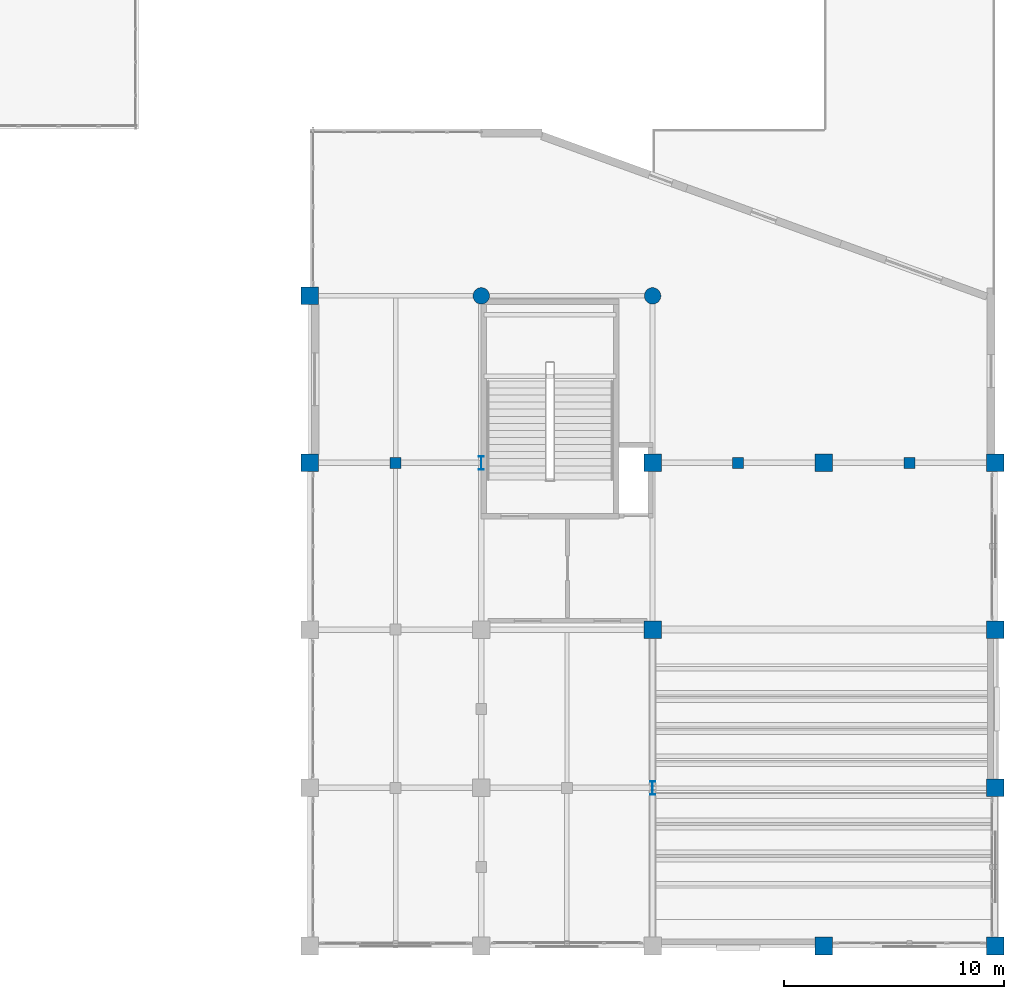
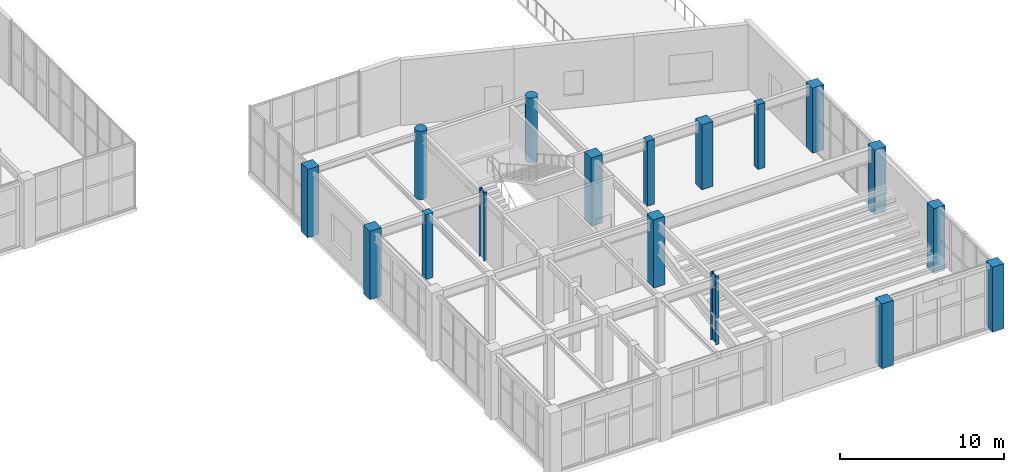
# One storey, part 7 of 128: 17 columns.
"""IFC4 building model written with IfcOpenShell, lengths in metres."""

from ifc_helpers import new_model, si_unit, direction, frame, origin, origin_2d, place, context, subcontext, project, spatial, rectangle, circle, i_section, extrude, material, material_profile, profile_set, type_object, element, save


model = new_model("IFC4")

# Units and contexts
model_context = context("Model", 3, precision=1e-05, world=origin(), true_north=direction((0.0, 1.0)))
body_context = subcontext(model_context, "Body", "Model", "MODEL_VIEW")
ifc_project = project(units=[si_unit("LENGTHUNIT", "METRE"), si_unit("AREAUNIT", "SQUARE_METRE"), si_unit("VOLUMEUNIT", "CUBIC_METRE"), si_unit("PLANEANGLEUNIT", "RADIAN"), si_unit("MASSUNIT", "GRAM", prefix="KILO")], contexts=[model_context])

# Site, building, storey
site_placement = place(None, origin())
site = spatial("IfcSite", under=ifc_project, at=site_placement, CompositionType="ELEMENT")
building_placement = place(site_placement, origin())
building = spatial("IfcBuilding", under=site, at=building_placement, Name="Xicomal Pleat Aquarium", CompositionType="ELEMENT")
storey_placement = place(building_placement, frame((0.0, 0.0, 5.39990234375)))
storey = spatial("IfcBuildingStorey", under=building, at=storey_placement, Name="L02", CompositionType="ELEMENT", Elevation=5.39990234375)

# Columns
ifc_material_1 = material(Name="Concrete C35/45", Category="concrete")
ifc_material_profile_1 = material_profile(ifc_material_1, rectangle(XDim=0.5, YDim=0.5, at=origin_2d()), Name="RC 500x500")
ifc_profile_set_1 = profile_set([ifc_material_profile_1], Name="Concrete C35/45")
column_type_1 = type_object("IfcColumnType", Name="COL-RC-500x500", PredefinedType="COLUMN", material=ifc_profile_set_1)
for number, where, z_axis, x_axis, name in (
    (1, (137.699951171875, 22.800048828125, 0.0), (0.0, 0.0, 1.0), (1.0, 0.0, 0.0), "L02 intermediate support column SUB-26"),
    (2, (153.300048828125, 22.800048828125, 0.0), (0.0, 0.0, 1.0), (1.0, 0.0, 0.0), "L02 intermediate support column SUB-31"),
    (3, (161.10009765625, 22.800048828125, 0.0), (0.0, 0.0, 1.0), (1.0, 0.0, 0.0), "L02 intermediate support column SUB-32"),
):
    element("IfcColumn", number, at=place(storey_placement, frame(where, z_axis=z_axis, x_axis=x_axis)), inside=storey, type_object=column_type_1, Name=name, PredefinedType="COLUMN", context=body_context, shape_type="SweptSolid", body=[
        extrude(rectangle(XDim=0.5, YDim=0.5, at=origin_2d()), origin(), (0.0, 0.0, 1.0), 4.840087890625),
    ])
ifc_material_2 = material(Name="Concrete C40/50", Category="concrete")
ifc_material_profile_2 = material_profile(ifc_material_2, rectangle(XDim=0.800048828125, YDim=0.800048828125, at=origin_2d()), Name="RC 800x800")
ifc_profile_set_2 = profile_set([ifc_material_profile_2], Name="Concrete C40/50")
column_type_2 = type_object("IfcColumnType", Name="COL-RC-800x800", PredefinedType="COLUMN", material=ifc_profile_set_2)
for number, where, z_axis, x_axis, name in (
    (4, (133.800048828125, 22.800048828125, 0.0), (0.0, 0.0, 1.0), (1.0, 0.0, 0.0), "L02 column 17/D"),
    (5, (133.800048828125, 30.39990234375, 0.0), (0.0, 0.0, 1.0), (1.0, 0.0, 0.0), "L02 column 17/E"),
    (6, (149.39990234375, 15.199951171875, 0.0), (0.0, 0.0, 1.0), (1.0, 0.0, 0.0), "L02 column 19/C"),
    (7, (149.39990234375, 22.800048828125, 0.0), (0.0, 0.0, 1.0), (1.0, 0.0, 0.0), "L02 column 19/D"),
):
    element("IfcColumn", number, at=place(storey_placement, frame(where, z_axis=z_axis, x_axis=x_axis)), inside=storey, type_object=column_type_2, Name=name, PredefinedType="COLUMN", context=body_context, shape_type="SweptSolid", body=[
        extrude(rectangle(XDim=0.800048828125, YDim=0.800048828125, at=origin_2d()), origin(), (0.0, 0.0, 1.0), 5.10009765625),
    ])
for number, where, z_axis, x_axis, name in (
    (8, (157.199951171875, 0.800048828125, 0.0), (0.0, 0.0, 1.0), (1.0, 0.0, 0.0), "L02 column 20/A"),
    (9, (157.199951171875, 22.800048828125, 0.0), (0.0, 0.0, 1.0), (1.0, 0.0, 0.0), "L02 column 20/D"),
    (10, (165.0, 0.800048828125, 0.0), (0.0, 0.0, 1.0), (1.0, 0.0, 0.0), "L02 column 21/A"),
    (11, (165.0, 8.0, 0.0), (0.0, 0.0, 1.0), (1.0, 0.0, 0.0), "L02 column 21/B"),
    (12, (165.0, 15.199951171875, 0.0), (0.0, 0.0, 1.0), (1.0, 0.0, 0.0), "L02 column 21/C"),
    (13, (165.0, 22.800048828125, 0.0), (0.0, 0.0, 1.0), (1.0, 0.0, 0.0), "L02 column 21/D"),
):
    element("IfcColumn", number, at=place(storey_placement, frame(where, z_axis=z_axis, x_axis=x_axis)), inside=storey, type_object=column_type_2, Name=name, PredefinedType="COLUMN", context=body_context, shape_type="SweptSolid", body=[
        extrude(rectangle(XDim=0.800048828125, YDim=0.800048828125, at=origin_2d()), origin(), (0.0, 0.0, 1.0), 4.840087890625),
    ])
ifc_material_3 = material(Name="Concrete C40/50", Category="concrete")
ifc_material_profile_3 = material_profile(ifc_material_3, circle(Radius=0.375, at=origin_2d()), Name="RCC D750")
ifc_profile_set_3 = profile_set([ifc_material_profile_3], Name="Concrete C40/50")
column_type_3 = type_object("IfcColumnType", Name="COL-RCC-D750", PredefinedType="COLUMN", material=ifc_profile_set_3)
column_1_placement = place(storey_placement, frame((141.60009765625, 30.39990234375, 0.0), z_axis=(0.0, 0.0, 1.0), x_axis=(1.0, 0.0, 0.0)))
element("IfcColumn", 14, at=column_1_placement, inside=storey, type_object=column_type_3, Name="L02 column 18/E", PredefinedType="COLUMN", context=body_context, shape_type="SweptSolid", body=[
    extrude(circle(Radius=0.375, at=origin_2d()), origin(), (0.0, 0.0, 1.0), 5.10009765625),
])
column_2_placement = place(storey_placement, frame((149.39990234375, 30.39990234375, 0.0), z_axis=(0.0, 0.0, 1.0), x_axis=(1.0, 0.0, 0.0)))
element("IfcColumn", 15, at=column_2_placement, inside=storey, type_object=column_type_3, Name="L02 column 19/E", PredefinedType="COLUMN", context=body_context, shape_type="SweptSolid", body=[
    extrude(circle(Radius=0.375, at=origin_2d()), origin(), (0.0, 0.0, 1.0), 4.840087890625),
])
ifc_material_4 = material(Name="Structural steel A992 Gr 50", Category="steel")
ifc_material_profile_4 = material_profile(ifc_material_4, i_section(OverallWidth=0.22998046875, OverallDepth=0.616943359375, WebThickness=0.01318359375, FlangeThickness=0.022216796875, at=origin_2d()), Name="IR 610x140")
ifc_profile_set_4 = profile_set([ifc_material_profile_4], Name="Structural steel A992 Gr 50")
column_type_4 = type_object("IfcColumnType", Name="COL-STL-IR610", PredefinedType="COLUMN", material=ifc_profile_set_4)
for number, where, z_axis, x_axis, name in (
    (16, (141.60009765625, 22.800048828125, 0.0), (0.0, 0.0, 1.0), (1.0, 0.0, 0.0), "L02 column 18/D"),
    (17, (149.39990234375, 8.0, 0.0), (0.0, 0.0, 1.0), (1.0, 0.0, 0.0), "L02 column 19/B"),
):
    element("IfcColumn", number, at=place(storey_placement, frame(where, z_axis=z_axis, x_axis=x_axis)), inside=storey, type_object=column_type_4, Name=name, PredefinedType="COLUMN", context=body_context, shape_type="SweptSolid", body=[
        extrude(i_section(OverallWidth=0.22998046875, OverallDepth=0.616943359375, WebThickness=0.01318359375, FlangeThickness=0.022216796875, at=origin_2d()), origin(), (0.0, 0.0, 1.0), 5.10009765625),
    ])

save(model, "model.ifc")
